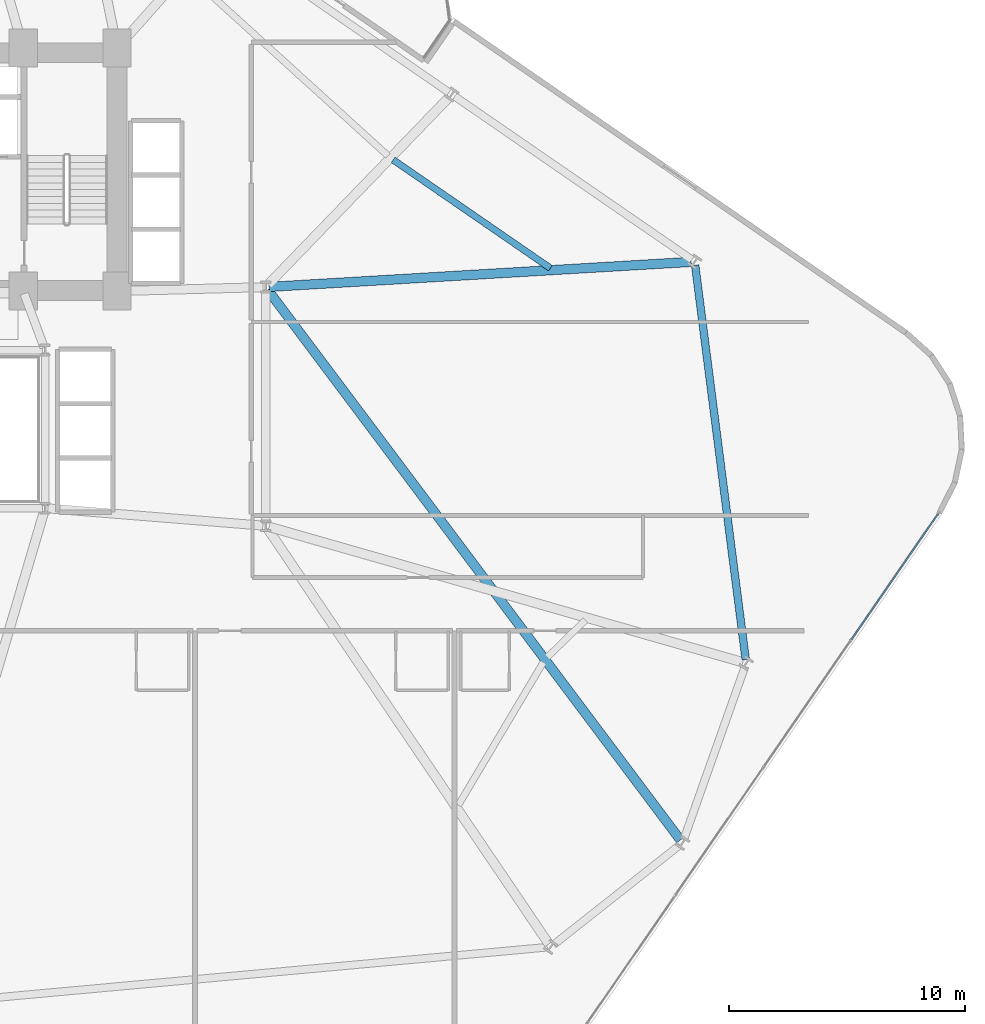
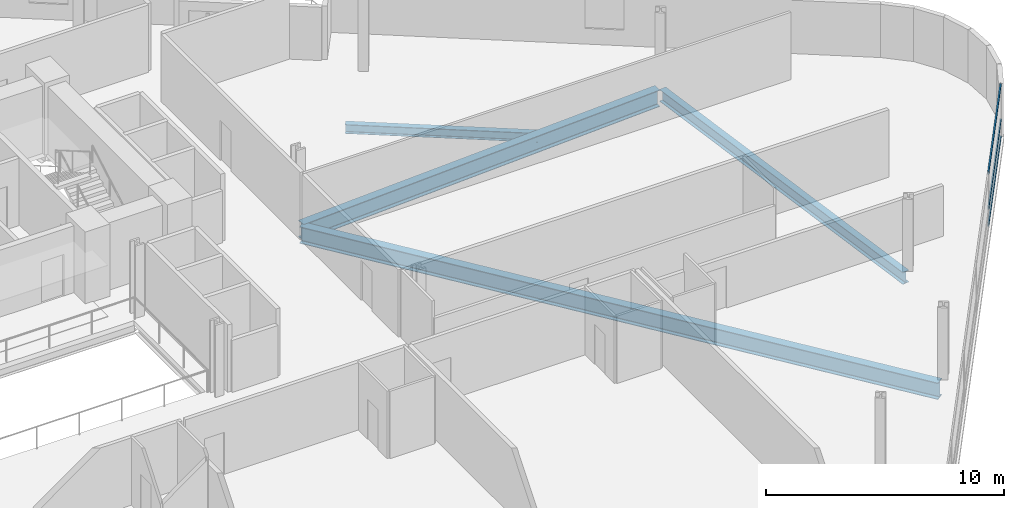
# One storey, part 10 of 24: 4 beams, 3 members, 1 element without a shape of its own.
"""IFC4 building model written with IfcOpenShell, lengths in metres."""

import ifcopenshell
import ifcopenshell.guid

model = None  # the IFC model being written
_history = None  # IfcOwnerHistory: only IFC2X3 demands one
_inside = {}  # id of a spatial element -> (the spatial element, [elements in it])
_under = {}  # id of a project, library or spatial element -> (it, [spatial elements below it])
_declared = {}  # id of a project -> (the project, [libraries it declares])
_typed = {}  # id of a type object -> (the type object, [elements of that type])
_made_of = {}  # id of a material, layer set ... -> (it, [elements and type objects made of it])


def new_model(schema):
    """Start an empty IFC model of exactly this schema.

    Asked for "IFC4X3", IfcOpenShell would pick the latest addendum, in which some entities
    have other attributes; the version numbers below select the first issue.
    IFC2X3 requires an IfcOwnerHistory on every rooted entity: one is made here for all.
    """
    global model, _history
    if schema == "IFC4X3":
        model = ifcopenshell.file(schema_version=(4, 3, 0, 0))
    else:
        model = ifcopenshell.file(schema=schema)
    _inside.clear()
    _under.clear()
    _declared.clear()
    _typed.clear()
    _made_of.clear()
    _history = None
    if model.schema == "IFC2X3":
        org = make("IfcOrganization", Name="unknown")
        user = make(
            "IfcPersonAndOrganization",
            ThePerson=make("IfcPerson", FamilyName="unknown"),
            TheOrganization=org,
        )
        app = make(
            "IfcApplication",
            ApplicationDeveloper=org,
            Version="unknown",
            ApplicationFullName="unknown",
            ApplicationIdentifier="unknown",
        )
        _history = make(
            "IfcOwnerHistory",
            OwningUser=user,
            OwningApplication=app,
            ChangeAction="ADDED",
            CreationDate=0,
        )
    return model


def make(cls, **values):
    """One entity of the class cls with the attributes given. An attribute that is None is left unset."""
    return model.create_entity(
        cls, **{name: value for name, value in values.items() if value is not None}
    )


def rooted(cls, **values):
    """An entity with a GlobalId (a new one), such as an element, a storey or a relation."""
    return make(cls, GlobalId=ifcopenshell.guid.new(), OwnerHistory=_history, **values)


def si_unit(unit_type, name, prefix=None):
    """IfcSIUnit, for example si_unit("LENGTHUNIT", "METRE", prefix="MILLI")."""
    return make("IfcSIUnit", UnitType=unit_type, Prefix=prefix, Name=name)


def assignment(units):
    """IfcUnitAssignment: the units of a project."""
    return None if units is None else make("IfcUnitAssignment", Units=units)


def point(xyz):
    """IfcCartesianPoint."""
    return None if xyz is None else make("IfcCartesianPoint", Coordinates=xyz)


def direction(xyz):
    """IfcDirection."""
    return None if xyz is None else make("IfcDirection", DirectionRatios=xyz)


def frame(location, z_axis=None, x_axis=None):
    """IfcAxis2Placement3D, a coordinate frame: its origin and axes. An axis left out is left unset."""
    return make(
        "IfcAxis2Placement3D",
        Location=point(location),
        Axis=direction(z_axis),
        RefDirection=direction(x_axis),
    )


def frame_2d(location, x_axis=None):
    """IfcAxis2Placement2D, a coordinate frame in the plane: its origin and x axis."""
    return make(
        "IfcAxis2Placement2D", Location=point(location), RefDirection=direction(x_axis)
    )


def origin():
    """The frame at (0, 0, 0) with its axes left unset."""
    return frame((0.0, 0.0, 0.0))


def origin_2d():
    """The frame at (0, 0) in the plane with its x axis left unset."""
    return frame_2d((0.0, 0.0))


def place(relative_to, where):
    """IfcLocalPlacement: puts the frame where relative to a parent placement (None: the world)."""
    return make(
        "IfcLocalPlacement", PlacementRelTo=relative_to, RelativePlacement=where
    )


def context(
    kind, dimensions, precision=None, world=None, true_north=None, identifier=None
):
    """IfcGeometricRepresentationContext, for example the 3D "Model" context."""
    return make(
        "IfcGeometricRepresentationContext",
        ContextIdentifier=identifier,
        ContextType=kind,
        CoordinateSpaceDimension=dimensions,
        Precision=precision,
        WorldCoordinateSystem=world,
        TrueNorth=true_north,
    )


def subcontext(parent, identifier, kind, view, scale=None):
    """IfcGeometricRepresentationSubContext, for example "Body" below "Model"."""
    return make(
        "IfcGeometricRepresentationSubContext",
        ContextIdentifier=identifier,
        ContextType=kind,
        ParentContext=parent,
        TargetScale=scale,
        TargetView=view,
    )


def project(units=None, contexts=None):
    """IfcProject with its units and contexts."""
    return rooted(
        "IfcProject",
        Name="project",
        RepresentationContexts=contexts,
        UnitsInContext=assignment(units),
    )


def spatial(cls, under=None, at=None, **own):
    """A site, building, storey or space (cls), placed at a placement, below another one or the project."""
    s = rooted(cls, ObjectPlacement=at, **own)
    if under is not None:
        _under.setdefault(under.id(), (under, []))[1].append(s)
    return s


def profile(cls, at=None, kind="AREA", **sizes):
    """A parametric profile (cls). Its sizes go by their IFC names, for example OverallWidth=200.0."""
    return make(cls, ProfileType=kind, Position=at, **sizes)


def hollow_rectangle(**sizes):
    """IfcRectangleHollowProfileDef."""
    return profile("IfcRectangleHollowProfileDef", **sizes)


def i_section(**sizes):
    """IfcIShapeProfileDef."""
    return profile("IfcIShapeProfileDef", **sizes)


def extrude(swept, where, along, depth):
    """IfcExtrudedAreaSolid: the profile swept, set in the frame where, extruded along a direction by depth."""
    return make(
        "IfcExtrudedAreaSolid",
        SweptArea=swept,
        Position=where,
        ExtrudedDirection=direction(along),
        Depth=depth,
    )


def shape(context_of_items, identifier, shape_type, items):
    """IfcShapeRepresentation: the items that make up one representation, for example the "Body"."""
    return make(
        "IfcShapeRepresentation",
        ContextOfItems=context_of_items,
        RepresentationIdentifier=identifier,
        RepresentationType=shape_type,
        Items=items,
    )


def material(Name=None, Category=None):
    """IfcMaterial."""
    return make("IfcMaterial", Name=Name, Category=Category)


def layer(
    of_material, thickness, ventilated=None, Name=None, Category=None, Priority=None
):
    """IfcMaterialLayer: one layer of a wall or slab, of a material (None: an air gap)."""
    return make(
        "IfcMaterialLayer",
        Material=of_material,
        LayerThickness=thickness,
        IsVentilated=ventilated,
        Name=Name,
        Category=Category,
        Priority=Priority,
    )


def layer_set(layers, Name=None):
    """IfcMaterialLayerSet."""
    return make("IfcMaterialLayerSet", MaterialLayers=layers, LayerSetName=Name)


def material_profile(
    of_material, cross_section, Name=None, Category=None, Priority=None
):
    """IfcMaterialProfile: a cross section and its material."""
    return make(
        "IfcMaterialProfile",
        Name=Name,
        Material=of_material,
        Profile=cross_section,
        Priority=Priority,
        Category=Category,
    )


def profile_set(profiles, Name=None, composite=None):
    """IfcMaterialProfileSet."""
    return make(
        "IfcMaterialProfileSet",
        Name=Name,
        MaterialProfiles=profiles,
        CompositeProfile=composite,
    )


def made_of(thing, what):
    """Note that an element or type object is made of a material, layer set ...; save() writes the relation."""
    if what is not None:
        _made_of.setdefault(what.id(), (what, []))[1].append(thing)
    return thing


def type_object(cls, material=None, **own):
    """A type object (cls), such as IfcWallType, which elements share."""
    return made_of(rooted(cls, **own), material)


def element(
    cls,
    number,
    at=None,
    inside=None,
    cuts=None,
    type_object=None,
    material=None,
    context=None,
    identifier="Body",
    shape_type=None,
    held_by="IfcProductDefinitionShape",
    body=None,
    shapes=None,
    **own,
):
    """One element of the class cls, such as IfcWall. Its Tag is "e" and its number.

    at: its placement. inside: the storey or other place that contains it. cuts: it is an
    opening in that element (IfcRelVoidsElement). A single representation is given by context,
    identifier, shape_type and body (its items); several are given by shapes. held_by: the class
    of the entity that holds the representations. save() writes the other relations.
    """
    e = rooted(cls, Tag="e%d" % number, ObjectPlacement=at, **own)
    if body is not None:
        shapes = [shape(context, identifier, shape_type, body)]
    if shapes is not None:
        e.Representation = make(held_by, Representations=shapes)
    if inside is not None:
        _inside.setdefault(inside.id(), (inside, []))[1].append(e)
    if cuts is not None:
        rooted(
            "IfcRelVoidsElement", RelatingBuildingElement=cuts, RelatedOpeningElement=e
        )
    if type_object is not None:
        _typed.setdefault(type_object.id(), (type_object, []))[1].append(e)
    return made_of(e, material)


def aggregate(whole, parts):
    """IfcRelAggregates: a whole, such as a stair, and the parts it consists of."""
    return rooted("IfcRelAggregates", RelatingObject=whole, RelatedObjects=parts)


def save(model, path):
    """Write the relations noted so far, then the file.

    IfcRelAggregates (storeys below a building ...), IfcRelContainedInSpatialStructure (elements
    in a storey), IfcRelDefinesByType, IfcRelAssociatesMaterial and IfcRelDeclares: one each for
    every whole, place, type object, material and project.
    """
    for whole, parts in _under.values():
        aggregate(whole, parts)
    for where, things in _inside.values():
        rooted(
            "IfcRelContainedInSpatialStructure",
            RelatedElements=things,
            RelatingStructure=where,
        )
    for kind, things in _typed.values():
        rooted("IfcRelDefinesByType", RelatedObjects=things, RelatingType=kind)
    for what, things in _made_of.values():
        rooted("IfcRelAssociatesMaterial", RelatedObjects=things, RelatingMaterial=what)
    for by, libraries in _declared.values():
        rooted("IfcRelDeclares", RelatingContext=by, RelatedDefinitions=libraries)
    model.write(path)


model = new_model("IFC4")

# Units and contexts
model_context = context("Model", 3, precision=1e-05, world=origin(), true_north=direction((0.0, 1.0)))
body_context = subcontext(model_context, "Body", "Model", "MODEL_VIEW")
ifc_project = project(units=[si_unit("LENGTHUNIT", "METRE"), si_unit("AREAUNIT", "SQUARE_METRE"), si_unit("VOLUMEUNIT", "CUBIC_METRE"), si_unit("PLANEANGLEUNIT", "RADIAN"), si_unit("MASSUNIT", "GRAM", prefix="KILO")], contexts=[model_context])

# Site, building, storey
site_placement = place(None, origin())
site = spatial("IfcSite", under=ifc_project, at=site_placement, CompositionType="ELEMENT")
building_placement = place(site_placement, origin())
building = spatial("IfcBuilding", under=site, at=building_placement, Name="Varnelok Gate Tower", CompositionType="ELEMENT")
storey_placement = place(building_placement, frame((0.0, 0.0, 38.10009765625)))
storey = spatial("IfcBuildingStorey", under=building, at=storey_placement, Name="L08", CompositionType="ELEMENT", Elevation=38.10009765625)

# Beams
ifc_material_1 = material(Name="Structural Steel ASTM A992 Grade 50", Category="steel")
ifc_material_profile_1 = material_profile(ifc_material_1, i_section(OverallWidth=0.280029296875, OverallDepth=0.462890625, WebThickness=0.0107421875, FlangeThickness=0.017333984375, FilletRadius=0.014892578125, at=origin_2d()), Name="W18X76")
ifc_profile_set_1 = profile_set([ifc_material_profile_1], Name="Structural Steel ASTM A992 Grade 50")
beam_type_1 = type_object("IfcBeamType", Name="BM-JST-W18X76", PredefinedType="JOIST", material=ifc_profile_set_1)
beam_1_placement = place(storey_placement, frame((66.069091796875, 29.72119140625, -0.481689453125), z_axis=(-0.823532961972, 0.567268420191, 0.0), x_axis=(-0.567268420191, -0.823532961972, 0.0)))
element("IfcBeam", 1, at=beam_1_placement, inside=storey, type_object=beam_type_1, Name="L08 Sector Floor Joist 7", PredefinedType="JOIST", context=body_context, shape_type="SweptSolid", body=[
    extrude(i_section(OverallWidth=0.280029296875, OverallDepth=0.462890625, WebThickness=0.0107421875, FlangeThickness=0.017333984375, FilletRadius=0.014892578125, at=origin_2d()), origin(), (0.0, 0.0, 1.0), 8.094970703125),
])
ifc_material_profile_2 = material_profile(ifc_material_1, i_section(OverallWidth=0.39892578125, OverallDepth=0.85498046875, WebThickness=0.018310546875, FlangeThickness=0.029296875, FilletRadius=0.02392578125, at=origin_2d()), Name="W33X201")
ifc_profile_set_2 = profile_set([ifc_material_profile_2], Name="Structural Steel ASTM A992 Grade 50")
beam_type_2 = type_object("IfcBeamType", Name="BM-PRI-W33X201", PredefinedType="BEAM", material=ifc_profile_set_2)
beam_2_placement = place(storey_placement, frame((54.090087890625, 28.800048828125, -0.677490234375), z_axis=(0.600038863323, -0.799970851033, 0.0), x_axis=(0.799970851033, 0.600038863323, 0.0)))
element("IfcBeam", 2, at=beam_2_placement, inside=storey, type_object=beam_type_2, Name="L08 Radial Floor Girder 7", PredefinedType="BEAM", context=body_context, shape_type="SweptSolid", body=[
    extrude(i_section(OverallWidth=0.39892578125, OverallDepth=0.85498046875, WebThickness=0.018310546875, FlangeThickness=0.029296875, FilletRadius=0.02392578125, at=origin_2d()), origin(), (0.0, 0.0, 1.0), 29.148193359375),
])
beam_3_placement = place(storey_placement, frame((54.149658203125, 28.928955078125, -0.677490234375), z_axis=(0.998250753284, 0.059122191839, 0.0), x_axis=(-0.059122191839, 0.998250753284, 0.0)))
element("IfcBeam", 3, at=beam_3_placement, inside=storey, type_object=beam_type_2, Name="L08 Radial Floor Girder 9", PredefinedType="BEAM", context=body_context, shape_type="SweptSolid", body=[
    extrude(i_section(OverallWidth=0.39892578125, OverallDepth=0.85498046875, WebThickness=0.018310546875, FlangeThickness=0.029296875, FilletRadius=0.02392578125, at=origin_2d()), origin(), (0.0, 0.0, 1.0), 17.91748046875),
])
ifc_material_profile_3 = material_profile(ifc_material_1, i_section(OverallWidth=0.323974609375, OverallDepth=0.611083984375, WebThickness=0.0126953125, FlangeThickness=0.01904296875, FilletRadius=0.01806640625, at=origin_2d()), Name="W24X104")
ifc_profile_set_3 = profile_set([ifc_material_profile_3], Name="Structural Steel ASTM A992 Grade 50")
beam_type_3 = type_object("IfcBeamType", Name="BM-SPN-W24X104", PredefinedType="SPANDREL", material=ifc_profile_set_3)
beam_4_placement = place(storey_placement, frame((74.347900390625, 13.125, -0.5556640625), z_axis=(-0.127122673264, 0.991887002608, 0.0), x_axis=(-0.991887002608, -0.127122673264, 0.0)))
element("IfcBeam", 4, at=beam_4_placement, inside=storey, type_object=beam_type_3, Name="L08 Perimeter Spandrel Beam 8", PredefinedType="SPANDREL", context=body_context, shape_type="SweptSolid", body=[
    extrude(i_section(OverallWidth=0.323974609375, OverallDepth=0.611083984375, WebThickness=0.0126953125, FlangeThickness=0.01904296875, FilletRadius=0.01806640625, at=origin_2d()), origin(), (0.0, 0.0, 1.0), 16.860107421875),
])

# Curtain wall, members
ifc_material_2 = material(Name="Anodized Aluminum Alloy 6063-T6", Category="aluminium")
ifc_layer = layer(ifc_material_2, 0.179931640625)
ifc_layer_set = layer_set([ifc_layer], Name="Anodized Aluminum Alloy 6063-T6")
curtain_wall_type = type_object("IfcCurtainWallType", Name="CW3-HOTEL-VISION", PredefinedType="USERDEFINED", material=ifc_layer_set)
curtain_wall_placement = place(storey_placement, origin())
curtain_wall = element("IfcCurtainWall", 5, at=curtain_wall_placement, inside=storey, type_object=curtain_wall_type, Name="L08 East End Vision Curtain Wall", ObjectType="UNITISED CURTAIN WALL", PredefinedType="USERDEFINED")
ifc_material_profile_4 = material_profile(ifc_material_2, hollow_rectangle(XDim=0.06494140625, YDim=0.159912109375, WallThickness=0.00390625, at=origin_2d()), Name="ALU160X65X4")
ifc_profile_set_4 = profile_set([ifc_material_profile_4], Name="Anodized Aluminum Alloy 6063-T6")
member_type = type_object("IfcMemberType", Name="CW-TRAN-160", PredefinedType="USERDEFINED", material=ifc_profile_set_4)
member_1_placement = place(storey_placement, frame((82.505615234375, 19.3125, 0.032470703125), z_axis=(-0.567298980035, -0.823511910813, 0.0), x_axis=(0.823511910813, -0.567298980035, 0.0)))
member_1 = element("IfcMember", 6, at=member_1_placement, type_object=member_type, Name="CW3 transom 1.1", ObjectType="TRANSOM", PredefinedType="USERDEFINED", context=body_context, shape_type="SweptSolid", body=[
    extrude(hollow_rectangle(XDim=0.06494140625, YDim=0.159912109375, WallThickness=0.00390625, at=origin_2d()), origin(), (0.0, 0.0, 1.0), 6.468994140625),
])
member_2_placement = place(storey_placement, frame((82.505615234375, 19.3125, 0.89990234375), z_axis=(-0.567298980035, -0.823511910813, 0.0), x_axis=(0.823511910813, -0.567298980035, 0.0)))
member_2 = element("IfcMember", 7, at=member_2_placement, type_object=member_type, Name="CW3 transom 1.2", ObjectType="TRANSOM", PredefinedType="USERDEFINED", context=body_context, shape_type="SweptSolid", body=[
    extrude(hollow_rectangle(XDim=0.06494140625, YDim=0.159912109375, WallThickness=0.00390625, at=origin_2d()), origin(), (0.0, 0.0, 1.0), 6.468994140625),
])
member_3_placement = place(storey_placement, frame((82.505615234375, 19.3125, 2.697509765625), z_axis=(-0.567298980035, -0.823511910813, 0.0), x_axis=(0.823511910813, -0.567298980035, 0.0)))
member_3 = element("IfcMember", 8, at=member_3_placement, type_object=member_type, Name="CW3 transom 1.3", ObjectType="TRANSOM", PredefinedType="USERDEFINED", context=body_context, shape_type="SweptSolid", body=[
    extrude(hollow_rectangle(XDim=0.06494140625, YDim=0.159912109375, WallThickness=0.00390625, at=origin_2d()), origin(), (0.0, 0.0, 1.0), 6.468994140625),
])
aggregate(curtain_wall, [member_1, member_2, member_3])

save(model, "model.ifc")
